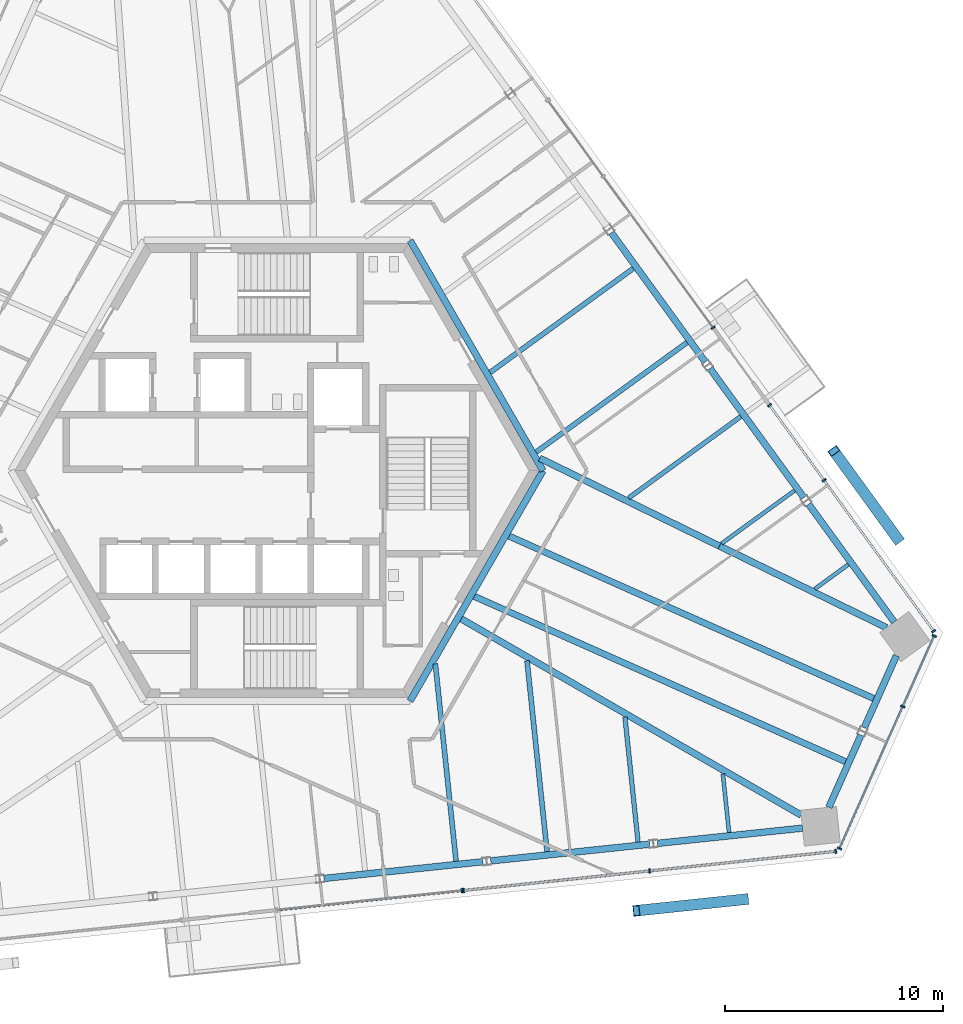
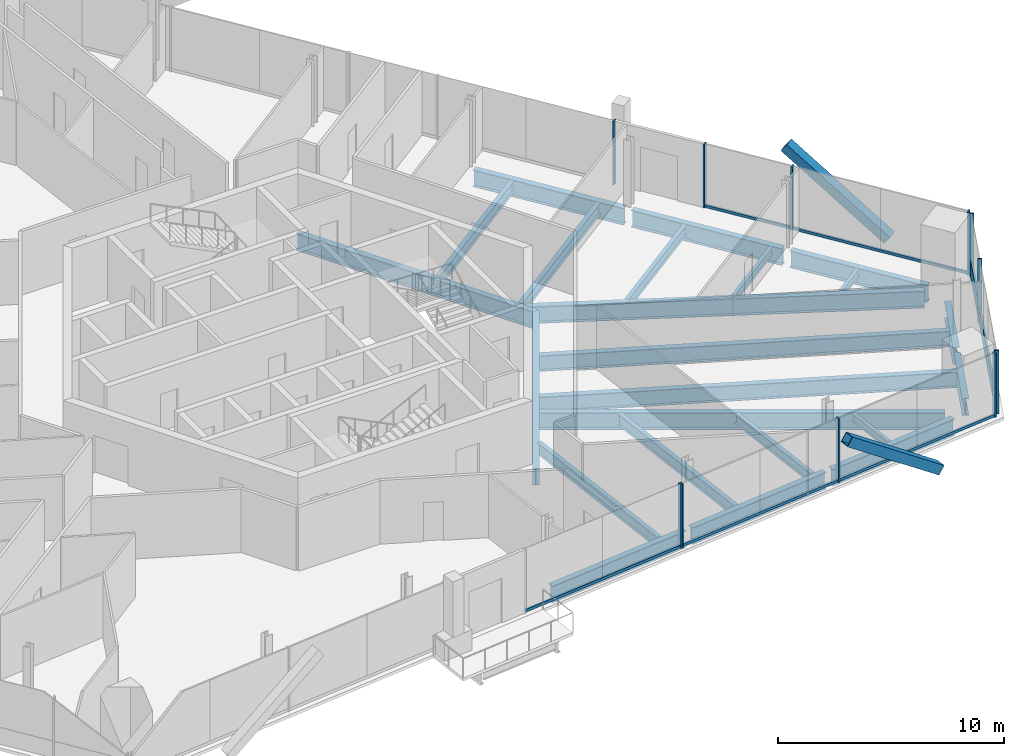
# One storey, part 6 of 19: 24 beams, 20 members, 5 elements without a shape of their own.
"""IFC4 building model written with IfcOpenShell, lengths in metres."""

from ifc_helpers import new_model, si_unit, direction, frame, origin, origin_2d, place, context, subcontext, project, spatial, rectangle, hollow_rectangle, i_section, extrude, source, transform, mapped, material, material_profile, profile_set, type_object, element, aggregate, save


model = new_model("IFC4")

# Units and contexts
model_context = context("Model", 3, precision=1e-05, world=origin(), true_north=direction((0.0, 1.0)))
body_context = subcontext(model_context, "Body", "Model", "MODEL_VIEW")
ifc_project = project(units=[si_unit("LENGTHUNIT", "METRE"), si_unit("AREAUNIT", "SQUARE_METRE"), si_unit("VOLUMEUNIT", "CUBIC_METRE"), si_unit("PLANEANGLEUNIT", "RADIAN"), si_unit("MASSUNIT", "GRAM", prefix="KILO")], contexts=[model_context])

# Site, building, storey
site_placement = place(None, origin())
site = spatial("IfcSite", under=ifc_project, at=site_placement, CompositionType="ELEMENT")
building_placement = place(site_placement, origin())
building = spatial("IfcBuilding", under=site, at=building_placement, Name="Triune Harvest Tower", CompositionType="ELEMENT")
storey_placement = place(building_placement, frame((0.0, 0.0, 223.300048828125)))
storey = spatial("IfcBuildingStorey", under=building, at=storey_placement, Name="L58", CompositionType="ELEMENT", Elevation=223.300048828125)

# Curtain wall, member
ifc_material_1 = material(Name="Aluminium bronze anodised", Category="aluminium")
curtain_wall_type_1 = type_object("IfcCurtainWallType", Name="CW-6 Balcony window wall", PredefinedType="NOTDEFINED", material=ifc_material_1)
curtain_wall_1_placement = place(storey_placement, origin())
curtain_wall_1 = element("IfcCurtainWall", 1, at=curtain_wall_1_placement, inside=storey, type_object=curtain_wall_type_1, Name="CW-6 B6-F5 L58 run 2")
ifc_material_2 = material(Name="Aluminium bronze anodised", Category="aluminium")
ifc_material_profile_1 = material_profile(ifc_material_2, rectangle(XDim=0.090087890625, YDim=0.14990234375, at=origin_2d()), Name="TR-6 transom 90 x 150")
ifc_profile_set_1 = profile_set([ifc_material_profile_1], Name="Aluminium bronze anodised")
member_type_1 = type_object("IfcMemberType", Name="TR-6 transom 90 x 150", PredefinedType="USERDEFINED", material=ifc_profile_set_1)
member_1_placement = place(storey_placement, frame((0.019287109375, -20.111572265625, 0.074951171875), z_axis=(0.994521742319, 0.10452991942, 0.0), x_axis=(-0.10452991942, 0.994521742319, 0.0)))
member_1 = element("IfcMember", 2, at=member_1_placement, type_object=member_type_1, Name="CW-6 transom B6-F5 2.1", ObjectType="TRANSOM", PredefinedType="USERDEFINED", context=body_context, shape_type="SweptSolid", body=[
    extrude(rectangle(XDim=0.090087890625, YDim=0.14990234375, at=origin_2d()), origin(), (0.0, 0.0, 1.0), 8.45263671875),
])

# Beams
ifc_material_3 = material(Name="Steel ASTM A992 Gr 50", Category="steel")
ifc_material_profile_2 = material_profile(ifc_material_3, i_section(OverallWidth=0.3046875, OverallDepth=0.914306640625, WebThickness=0.0166015625, FlangeThickness=0.02587890625, at=origin_2d()), Name="W36x160")
ifc_profile_set_2 = profile_set([ifc_material_profile_2], Name="Steel ASTM A992 Gr 50")
beam_type_1 = type_object("IfcBeamType", Name="CG-1 Core ring girder W36x160", PredefinedType="BEAM", material=ifc_profile_set_2)
shared_shape_1 = source(origin(), body_context, "Body", "SweptSolid", [
    extrude(i_section(OverallWidth=0.3046875, OverallDepth=0.914306640625, WebThickness=0.0166015625, FlangeThickness=0.02587890625, at=origin_2d()), origin(), (0.0, 0.0, 1.0), 12.176025390625),
])
for number, where, z_axis, x_axis, name in (
    (3, (12.176025390625, 0.0, -0.6171875), (-0.5000099932, 0.866019634131, 0.0), (-0.866019634131, -0.5000099932, 0.0), "beam/L58/CG1"),
    (4, (6.087890625, -10.544677734375, -0.6171875), (0.5000099932, 0.866019634131, 0.0), (-0.866019634131, 0.5000099932, 0.0), "beam/L58/CG6"),
):
    element("IfcBeam", number, at=place(storey_placement, frame(where, z_axis=z_axis, x_axis=x_axis)), inside=storey, type_object=beam_type_1, Name=name, PredefinedType="BEAM", context=body_context, shape_type="MappedRepresentation", body=[
        mapped(shared_shape_1, transform((0.0, 0.0, 0.0), scale=1.0)),
    ])
ifc_material_4 = material(Name="Steel ASTM A992 Gr 50", Category="steel")
ifc_material_profile_3 = material_profile(ifc_material_4, i_section(OverallWidth=0.3046875, OverallDepth=0.914306640625, WebThickness=0.0166015625, FlangeThickness=0.02587890625, at=origin_2d()), Name="W36x160")
ifc_profile_set_3 = profile_set([ifc_material_profile_3], Name="Steel ASTM A992 Gr 50")
beam_type_2 = type_object("IfcBeamType", Name="HG-3 Hip girder W36x160", PredefinedType="BEAM", material=ifc_profile_set_3)
shared_shape_2 = source(origin(), body_context, "Body", "SweptSolid", [
    extrude(i_section(OverallWidth=0.3046875, OverallDepth=0.914306640625, WebThickness=0.0166015625, FlangeThickness=0.02587890625, at=origin_2d()), origin(), (0.0, 0.0, 1.0), 9.168212890625),
])
beam_1_placement = place(storey_placement, frame((20.2587890625, -3.451171875, -0.6171875), z_axis=(-0.898521846145, 0.438928800605, 0.0), x_axis=(-0.438928800605, -0.898521846145, 0.0)))
element("IfcBeam", 5, at=beam_1_placement, inside=storey, type_object=beam_type_2, Name="beam/L58/HG2", PredefinedType="BEAM", context=body_context, shape_type="MappedRepresentation", body=[
    mapped(shared_shape_2, transform((0.0, 0.0, 0.0), scale=1.0)),
])
ifc_material_5 = material(Name="Steel ASTM A992 Gr 50", Category="steel")
ifc_material_profile_4 = material_profile(ifc_material_5, i_section(OverallWidth=0.3046875, OverallDepth=0.914306640625, WebThickness=0.0166015625, FlangeThickness=0.02587890625, at=origin_2d()), Name="W36x160")
ifc_profile_set_4 = profile_set([ifc_material_profile_4], Name="Steel ASTM A992 Gr 50")
beam_type_3 = type_object("IfcBeamType", Name="SB-1 Spandrel beam W36x160", PredefinedType="SPANDREL", material=ifc_profile_set_4)
shared_shape_3 = source(origin(), body_context, "Body", "SweptSolid", [
    extrude(i_section(OverallWidth=0.3046875, OverallDepth=0.914306640625, WebThickness=0.0166015625, FlangeThickness=0.02587890625, at=origin_2d()), origin(), (0.0, 0.0, 1.0), 6.67041015625),
])
for number, where, z_axis, x_axis, name in (
    (6, (28.256591796875, -6.927734375, -0.6171875), (-0.587797324645, 0.80900822316, 0.0), (-0.80900822316, -0.587797324645, 0.0), "beam/L58/SB1"),
    (7, (17.421630859375, -17.060302734375, -0.6171875), (0.994521485501, 0.104532362822, 0.0), (-0.104532362822, 0.994521485501, 0.0), "beam/L58/SB22"),
):
    element("IfcBeam", number, at=place(storey_placement, frame(where, z_axis=z_axis, x_axis=x_axis)), inside=storey, type_object=beam_type_3, Name=name, PredefinedType="SPANDREL", context=body_context, shape_type="MappedRepresentation", body=[
        mapped(shared_shape_3, transform((0.0, 0.0, 0.0), scale=1.0)),
    ])
shared_shape_4 = source(origin(), body_context, "Body", "SweptSolid", [
    extrude(i_section(OverallWidth=0.3046875, OverallDepth=0.914306640625, WebThickness=0.0166015625, FlangeThickness=0.02587890625, at=origin_2d()), origin(), (0.0, 0.0, 1.0), 7.31103515625),
])
for number, where, z_axis, x_axis, name in (
    (8, (24.119384765625, -1.2333984375, -0.6171875), (-0.587786436325, 0.809016134124, 0.0), (-0.809016134124, -0.587786436325, 0.0), "beam/L58/SB2"),
    (9, (19.60546875, 4.9794921875, -0.6171875), (-0.587786436325, 0.809016134124, 0.0), (-0.809016134124, -0.587786436325, 0.0), "beam/L58/SB3"),
    (10, (9.784423828125, -17.863037109375, -0.6171875), (0.994522639393, 0.104521384101, 0.0), (-0.104521384101, 0.994522639393, 0.0), "beam/L58/SB21"),
):
    element("IfcBeam", number, at=place(storey_placement, frame(where, z_axis=z_axis, x_axis=x_axis)), inside=storey, type_object=beam_type_3, Name=name, PredefinedType="SPANDREL", context=body_context, shape_type="MappedRepresentation", body=[
        mapped(shared_shape_4, transform((0.0, 0.0, 0.0), scale=1.0)),
    ])
shared_shape_5 = source(origin(), body_context, "Body", "SweptSolid", [
    extrude(i_section(OverallWidth=0.3046875, OverallDepth=0.914306640625, WebThickness=0.0166015625, FlangeThickness=0.02587890625, at=origin_2d()), origin(), (0.0, 0.0, 1.0), 3.614990234375),
])
beam_2_placement = place(storey_placement, frame((26.883544921875, -11.767822265625, -0.6171875), z_axis=(0.406758712736, 0.913535631277, 0.0), x_axis=(-0.913535631277, 0.406758712736, 0.0)))
element("IfcBeam", 11, at=beam_2_placement, inside=storey, type_object=beam_type_3, Name="beam/L58/SB24", PredefinedType="SPANDREL", context=body_context, shape_type="MappedRepresentation", body=[
    mapped(shared_shape_5, transform((0.0, 0.0, 0.0), scale=1.0)),
])
shared_shape_6 = source(origin(), body_context, "Body", "SweptSolid", [
    extrude(i_section(OverallWidth=0.3046875, OverallDepth=0.914306640625, WebThickness=0.0166015625, FlangeThickness=0.02587890625, at=origin_2d()), origin(), (0.0, 0.0, 1.0), 7.311279296875),
])
beam_3_placement = place(storey_placement, frame((2.14697265625, -18.665771484375, -0.6171875), z_axis=(0.994523004189, 0.104517913008, 0.0), x_axis=(-0.104517913008, 0.994523004189, 0.0)))
element("IfcBeam", 12, at=beam_3_placement, inside=storey, type_object=beam_type_3, Name="beam/L58/SB20", PredefinedType="SPANDREL", context=body_context, shape_type="MappedRepresentation", body=[
    mapped(shared_shape_6, transform((0.0, 0.0, 0.0), scale=1.0)),
])
shared_shape_7 = source(origin(), body_context, "Body", "SweptSolid", [
    extrude(i_section(OverallWidth=0.3046875, OverallDepth=0.914306640625, WebThickness=0.0166015625, FlangeThickness=0.02587890625, at=origin_2d()), origin(), (0.0, 0.0, 1.0), 3.61474609375),
])
beam_4_placement = place(storey_placement, frame((25.263427734375, -15.406494140625, -0.6171875), z_axis=(0.406783809082, 0.913524456525, 0.0), x_axis=(-0.913524456525, 0.406783809082, 0.0)))
element("IfcBeam", 13, at=beam_4_placement, inside=storey, type_object=beam_type_3, Name="beam/L58/SB23", PredefinedType="SPANDREL", context=body_context, shape_type="MappedRepresentation", body=[
    mapped(shared_shape_7, transform((0.0, 0.0, 0.0), scale=1.0)),
])
shared_shape_8 = source(origin(), body_context, "Body", "SweptSolid", [
    extrude(i_section(OverallWidth=0.3046875, OverallDepth=0.914306640625, WebThickness=0.0166015625, FlangeThickness=0.02587890625, at=origin_2d()), origin(), (0.0, 0.0, 1.0), 8.506591796875),
])
beam_5_placement = place(storey_placement, frame((27.902099609375, -7.18505859375, -0.6171875), z_axis=(-0.898516187924, 0.43894038324, 0.0), x_axis=(-0.43894038324, -0.898516187924, 0.0)))
element("IfcBeam", 14, at=beam_5_placement, inside=storey, type_object=beam_type_2, Name="beam/L58/HG1", PredefinedType="BEAM", context=body_context, shape_type="MappedRepresentation", body=[
    mapped(shared_shape_8, transform((0.0, 0.0, 0.0), scale=1.0)),
])
shared_shape_9 = source(origin(), body_context, "Body", "SweptSolid", [
    extrude(i_section(OverallWidth=0.3046875, OverallDepth=0.914306640625, WebThickness=0.0166015625, FlangeThickness=0.02587890625, at=origin_2d()), origin(), (0.0, 0.0, 1.0), 17.96484375),
])
beam_6_placement = place(storey_placement, frame((23.992919921875, -15.766845703125, -0.6171875), z_axis=(-0.866026717539, 0.499997724503, 0.0), x_axis=(-0.499997724503, -0.866026717539, 0.0)))
element("IfcBeam", 15, at=beam_6_placement, inside=storey, type_object=beam_type_2, Name="beam/L58/HG10", PredefinedType="BEAM", context=body_context, shape_type="MappedRepresentation", body=[
    mapped(shared_shape_9, transform((0.0, 0.0, 0.0), scale=1.0)),
])
ifc_material_6 = material(Name="Steel ASTM A992 Gr 50", Category="steel")
ifc_material_profile_5 = material_profile(ifc_material_6, i_section(OverallWidth=0.180908203125, OverallDepth=0.41650390625, WebThickness=0.010986328125, FlangeThickness=0.01806640625, at=origin_2d()), Name="W16x57")
ifc_profile_set_5 = profile_set([ifc_material_profile_5], Name="Steel ASTM A992 Gr 50")
beam_type_4 = type_object("IfcBeamType", Name="JT-1 Floor joist W16x57", PredefinedType="JOIST", material=ifc_profile_set_5)
shared_shape_10 = source(origin(), body_context, "Body", "SweptSolid", [
    extrude(i_section(OverallWidth=0.180908203125, OverallDepth=0.41650390625, WebThickness=0.010986328125, FlangeThickness=0.01806640625, at=origin_2d()), origin(), (0.0, 0.0, 1.0), 1.89892578125),
])
beam_7_placement = place(storey_placement, frame((26.156005859375, -4.2958984375, -0.368408203125), z_axis=(-0.808980650343, -0.587835272309, 0.0), x_axis=(0.587835272309, -0.808980650343, 0.0)))
element("IfcBeam", 16, at=beam_7_placement, inside=storey, type_object=beam_type_4, Name="beam/L58/JT1", PredefinedType="JOIST", context=body_context, shape_type="MappedRepresentation", body=[
    mapped(shared_shape_10, transform((0.0, 0.0, 0.0), scale=1.0)),
])
shared_shape_11 = source(origin(), body_context, "Body", "SweptSolid", [
    extrude(i_section(OverallWidth=0.180908203125, OverallDepth=0.41650390625, WebThickness=0.010986328125, FlangeThickness=0.01806640625, at=origin_2d()), origin(), (0.0, 0.0, 1.0), 4.122802734375),
])
beam_8_placement = place(storey_placement, frame((23.69384765625, -0.906982421875, -0.368408203125), z_axis=(-0.809017670691, -0.587784321423, 0.0), x_axis=(0.587784321423, -0.809017670691, 0.0)))
element("IfcBeam", 17, at=beam_8_placement, inside=storey, type_object=beam_type_4, Name="beam/L58/JT2", PredefinedType="JOIST", context=body_context, shape_type="MappedRepresentation", body=[
    mapped(shared_shape_11, transform((0.0, 0.0, 0.0), scale=1.0)),
])
ifc_material_7 = material(Name="Steel ASTM A992 Gr 50", Category="steel")
ifc_material_profile_6 = material_profile(ifc_material_7, i_section(OverallWidth=0.2099609375, OverallDepth=0.535888671875, WebThickness=0.010986328125, FlangeThickness=0.017333984375, at=origin_2d()), Name="W21x68")
ifc_profile_set_6 = profile_set([ifc_material_profile_6], Name="Steel ASTM A992 Gr 50")
beam_type_5 = type_object("IfcBeamType", Name="JT-2 Floor joist W21x68", PredefinedType="JOIST", material=ifc_profile_set_6)
shared_shape_12 = source(origin(), body_context, "Body", "SweptSolid", [
    extrude(i_section(OverallWidth=0.2099609375, OverallDepth=0.535888671875, WebThickness=0.010986328125, FlangeThickness=0.017333984375, at=origin_2d()), origin(), (0.0, 0.0, 1.0), 6.346435546875),
])
beam_9_placement = place(storey_placement, frame((21.231689453125, 2.481689453125, -0.427978515625), z_axis=(-0.809002165091, -0.58780566251, 0.0), x_axis=(0.58780566251, -0.809002165091, 0.0)))
element("IfcBeam", 18, at=beam_9_placement, inside=storey, type_object=beam_type_5, Name="beam/L58/JT3", PredefinedType="JOIST", context=body_context, shape_type="MappedRepresentation", body=[
    mapped(shared_shape_12, transform((0.0, 0.0, 0.0), scale=1.0)),
])
ifc_material_8 = material(Name="Steel ASTM A992 Gr 50", Category="steel")
ifc_material_profile_7 = material_profile(ifc_material_8, i_section(OverallWidth=0.22900390625, OverallDepth=0.612060546875, WebThickness=0.011962890625, FlangeThickness=0.01953125, at=origin_2d()), Name="W24x84")
ifc_profile_set_7 = profile_set([ifc_material_profile_7], Name="Steel ASTM A992 Gr 50")
beam_type_6 = type_object("IfcBeamType", Name="JT-3 Floor joist W24x84", PredefinedType="JOIST", material=ifc_profile_set_7)
shared_shape_13 = source(origin(), body_context, "Body", "SweptSolid", [
    extrude(i_section(OverallWidth=0.22900390625, OverallDepth=0.612060546875, WebThickness=0.011962890625, FlangeThickness=0.01953125, at=origin_2d()), origin(), (0.0, 0.0, 1.0), 8.540283203125),
])
beam_10_placement = place(storey_placement, frame((18.769775390625, 5.87060546875, -0.466064453125), z_axis=(-0.809019081634, -0.587782379416, 0.0), x_axis=(0.587782379416, -0.809019081634, 0.0)))
element("IfcBeam", 19, at=beam_10_placement, inside=storey, type_object=beam_type_6, Name="beam/L58/JT4", PredefinedType="JOIST", context=body_context, shape_type="MappedRepresentation", body=[
    mapped(shared_shape_13, transform((0.0, 0.0, 0.0), scale=1.0)),
])
shared_shape_14 = source(origin(), body_context, "Body", "SweptSolid", [
    extrude(i_section(OverallWidth=0.22900390625, OverallDepth=0.612060546875, WebThickness=0.011962890625, FlangeThickness=0.01953125, at=origin_2d()), origin(), (0.0, 0.0, 1.0), 8.099609375),
])
beam_11_placement = place(storey_placement, frame((16.3076171875, 9.25927734375, -0.466064453125), z_axis=(-0.809022748574, -0.587777332235, 0.0), x_axis=(0.587777332235, -0.809022748574, 0.0)))
element("IfcBeam", 20, at=beam_11_placement, inside=storey, type_object=beam_type_6, Name="beam/L58/JT5", PredefinedType="JOIST", context=body_context, shape_type="MappedRepresentation", body=[
    mapped(shared_shape_14, transform((0.0, 0.0, 0.0), scale=1.0)),
])
shared_shape_15 = source(origin(), body_context, "Body", "SweptSolid", [
    extrude(i_section(OverallWidth=0.22900390625, OverallDepth=0.612060546875, WebThickness=0.011962890625, FlangeThickness=0.01953125, at=origin_2d()), origin(), (0.0, 0.0, 1.0), 9.084716796875),
])
beam_12_placement = place(storey_placement, frame((8.19677734375, -17.876708984375, -0.466064453125), z_axis=(-0.104539296445, 0.994520756696, 0.0), x_axis=(-0.994520756696, -0.104539296445, 0.0)))
element("IfcBeam", 21, at=beam_12_placement, inside=storey, type_object=beam_type_6, Name="beam/L58/JT31", PredefinedType="JOIST", context=body_context, shape_type="MappedRepresentation", body=[
    mapped(shared_shape_15, transform((0.0, 0.0, 0.0), scale=1.0)),
])
shared_shape_16 = source(origin(), body_context, "Body", "SweptSolid", [
    extrude(i_section(OverallWidth=0.2099609375, OverallDepth=0.535888671875, WebThickness=0.010986328125, FlangeThickness=0.017333984375, at=origin_2d()), origin(), (0.0, 0.0, 1.0), 5.745849609375),
])
beam_13_placement = place(storey_placement, frame((16.5283203125, -17.0009765625, -0.427978515625), z_axis=(-0.104525532782, 0.99452220337, 0.0), x_axis=(-0.99452220337, -0.104525532782, 0.0)))
element("IfcBeam", 22, at=beam_13_placement, inside=storey, type_object=beam_type_5, Name="beam/L58/JT33", PredefinedType="JOIST", context=body_context, shape_type="MappedRepresentation", body=[
    mapped(shared_shape_16, transform((0.0, 0.0, 0.0), scale=1.0)),
])
shared_shape_17 = source(origin(), body_context, "Body", "SweptSolid", [
    extrude(i_section(OverallWidth=0.180908203125, OverallDepth=0.41650390625, WebThickness=0.010986328125, FlangeThickness=0.01806640625, at=origin_2d()), origin(), (0.0, 0.0, 1.0), 2.70263671875),
])
beam_14_placement = place(storey_placement, frame((20.694091796875, -16.56298828125, -0.368408203125), z_axis=(-0.104520196043, 0.994522764254, 0.0), x_axis=(-0.994522764254, -0.104520196043, 0.0)))
element("IfcBeam", 23, at=beam_14_placement, inside=storey, type_object=beam_type_4, Name="beam/L58/JT34", PredefinedType="JOIST", context=body_context, shape_type="MappedRepresentation", body=[
    mapped(shared_shape_17, transform((0.0, 0.0, 0.0), scale=1.0)),
])
ifc_material_9 = material(Name="Steel ASTM A992 Gr 50", Category="steel")
ifc_material_profile_8 = material_profile(ifc_material_9, i_section(OverallWidth=0.2919921875, OverallDepth=0.8408203125, WebThickness=0.0146484375, FlangeThickness=0.021728515625, at=origin_2d()), Name="W33x130")
ifc_profile_set_8 = profile_set([ifc_material_profile_8], Name="Steel ASTM A992 Gr 50")
beam_type_7 = type_object("IfcBeamType", Name="JT-6 Floor joist W33x130", PredefinedType="JOIST", material=ifc_profile_set_8)
shared_shape_18 = source(origin(), body_context, "Body", "SweptSolid", [
    extrude(i_section(OverallWidth=0.2919921875, OverallDepth=0.8408203125, WebThickness=0.0146484375, FlangeThickness=0.021728515625, at=origin_2d()), origin(), (0.0, 0.0, 1.0), 18.60400390625),
])
beam_15_placement = place(storey_placement, frame((26.025390625, -13.32080078125, -0.58056640625), z_axis=(-0.913546187597, 0.406735003568, 0.0), x_axis=(-0.406735003568, -0.913546187597, 0.0)))
element("IfcBeam", 24, at=beam_15_placement, inside=storey, type_object=beam_type_7, Name="beam/L58/JT35", PredefinedType="JOIST", context=body_context, shape_type="MappedRepresentation", body=[
    mapped(shared_shape_18, transform((0.0, 0.0, 0.0), scale=1.0)),
])
shared_shape_19 = source(origin(), body_context, "Body", "SweptSolid", [
    extrude(i_section(OverallWidth=0.22900390625, OverallDepth=0.612060546875, WebThickness=0.011962890625, FlangeThickness=0.01953125, at=origin_2d()), origin(), (0.0, 0.0, 1.0), 8.7890625),
])
beam_16_placement = place(storey_placement, frame((12.362548828125, -17.438720703125, -0.466064453125), z_axis=(-0.104527173764, 0.9945220309, 0.0), x_axis=(-0.9945220309, -0.104527173764, 0.0)))
element("IfcBeam", 25, at=beam_16_placement, inside=storey, type_object=beam_type_6, Name="beam/L58/JT32", PredefinedType="JOIST", context=body_context, shape_type="MappedRepresentation", body=[
    mapped(shared_shape_19, transform((0.0, 0.0, 0.0), scale=1.0)),
])
shared_shape_20 = source(origin(), body_context, "Body", "SweptSolid", [
    extrude(i_section(OverallWidth=0.2919921875, OverallDepth=0.8408203125, WebThickness=0.0146484375, FlangeThickness=0.021728515625, at=origin_2d()), origin(), (0.0, 0.0, 1.0), 18.270751953125),
])
beam_17_placement = place(storey_placement, frame((27.313720703125, -10.427001953125, -0.58056640625), z_axis=(-0.913545207047, 0.406737205922, 0.0), x_axis=(-0.406737205922, -0.913545207047, 0.0)))
element("IfcBeam", 26, at=beam_17_placement, inside=storey, type_object=beam_type_7, Name="beam/L58/JT36", PredefinedType="JOIST", context=body_context, shape_type="MappedRepresentation", body=[
    mapped(shared_shape_20, transform((0.0, 0.0, 0.0), scale=1.0)),
])

# Members
ifc_material_10 = material(Name="Steel ASTM A572 Gr 50", Category="steel")
ifc_material_profile_9 = material_profile(ifc_material_10, hollow_rectangle(XDim=0.5, YDim=0.5, WallThickness=0.030029296875, at=origin_2d()), Name="Box 500x500x30")
ifc_profile_set_9 = profile_set([ifc_material_profile_9], Name="Steel ASTM A572 Gr 50")
member_type_2 = type_object("IfcMemberType", Name="BR-3 Brace Box 500x500x30", PredefinedType="BRACE", material=ifc_profile_set_9)
shared_shape_21 = source(origin(), body_context, "Body", "SweptSolid", [
    extrude(hollow_rectangle(XDim=0.5, YDim=0.5, WallThickness=0.030029296875, at=origin_2d()), origin(), (0.0, 0.0, 1.0), 6.170654296875),
])
member_2_placement = place(storey_placement, frame((28.4375, -3.15234375, 0.0), z_axis=(-0.477387446173, 0.657090229242, 0.583381227732), x_axis=(-0.809026684069, -0.587771915341, 0.0)))
element("IfcMember", 27, at=member_2_placement, inside=storey, type_object=member_type_2, Name="brace/B6-F1/d1/2", PredefinedType="BRACE", context=body_context, shape_type="MappedRepresentation", body=[
    mapped(shared_shape_21, transform((0.0, 0.0, 0.0), scale=1.0)),
])
shared_shape_22 = source(origin(), body_context, "Body", "SweptSolid", [
    extrude(hollow_rectangle(XDim=0.5, YDim=0.5, WallThickness=0.030029296875, at=origin_2d()), origin(), (0.0, 0.0, 1.0), 6.1708984375),
])
member_3_placement = place(storey_placement, frame((21.433837890625, -19.620361328125, 0.0), z_axis=(-0.807763534376, -0.08490280378, 0.583360597266), x_axis=(0.104532646515, -0.994521455682, 0.0)))
element("IfcMember", 28, at=member_3_placement, inside=storey, type_object=member_type_2, Name="brace/B6-F5/d2/2", PredefinedType="BRACE", context=body_context, shape_type="MappedRepresentation", body=[
    mapped(shared_shape_22, transform((0.0, 0.0, 0.0), scale=1.0)),
])

# Curtain wall, members
ifc_material_11 = material(Name="Aluminium bronze anodised", Category="aluminium")
curtain_wall_type_2 = type_object("IfcCurtainWallType", Name="CW-1 Tower stick curtain wall", PredefinedType="NOTDEFINED", material=ifc_material_11)
curtain_wall_2_placement = place(storey_placement, origin())
curtain_wall_2 = element("IfcCurtainWall", 29, at=curtain_wall_2_placement, inside=storey, type_object=curtain_wall_type_2, Name="CW-1 B6-F6 L58 run 1")
ifc_material_12 = material(Name="Aluminium bronze anodised", Category="aluminium")
ifc_material_profile_10 = material_profile(ifc_material_12, rectangle(XDim=0.199951171875, YDim=0.074951171875, at=origin_2d()), Name="MU-1 mullion 75 x 200")
ifc_profile_set_10 = profile_set([ifc_material_profile_10], Name="Aluminium bronze anodised")
member_type_3 = type_object("IfcMemberType", Name="MU-1 mullion 75 x 200", PredefinedType="MULLION", material=ifc_profile_set_10)
shared_shape_23 = source(origin(), body_context, "Body", "SweptSolid", [
    extrude(rectangle(XDim=0.199951171875, YDim=0.074951171875, at=origin_2d()), origin(), (0.0, 0.0, 1.0), 3.43994140625),
])
member_4_placement = place(storey_placement, frame((25.7529296875, -17.2958984375, 0.0), z_axis=(0.0, 0.0, 1.0), x_axis=(-0.913542531121, 0.406743216086, 0.0)))
member_4 = element("IfcMember", 30, at=member_4_placement, type_object=member_type_3, Name="CW-1 mullion B6-F6 1.1", PredefinedType="MULLION", context=body_context, shape_type="MappedRepresentation", body=[
    mapped(shared_shape_23, transform((0.0, 0.0, 0.0), scale=1.0)),
])
member_5_placement = place(storey_placement, frame((28.646240234375, -10.797119140625, 0.0), z_axis=(0.0, 0.0, 1.0), x_axis=(-0.913542531121, 0.406743216086, 0.0)))
member_5 = element("IfcMember", 31, at=member_5_placement, type_object=member_type_3, Name="CW-1 mullion B6-F6 1.3", PredefinedType="MULLION", context=body_context, shape_type="MappedRepresentation", body=[
    mapped(shared_shape_23, transform((0.0, 0.0, 0.0), scale=1.0)),
])
member_6_placement = place(storey_placement, frame((30.08544921875, -7.56494140625, 0.0), z_axis=(0.0, 0.0, 1.0), x_axis=(-0.913542531121, 0.406743216086, 0.0)))
member_6 = element("IfcMember", 32, at=member_6_placement, type_object=member_type_3, Name="CW-1 mullion B6-F6 1.4", PredefinedType="MULLION", context=body_context, shape_type="MappedRepresentation", body=[
    mapped(shared_shape_23, transform((0.0, 0.0, 0.0), scale=1.0)),
])

ifc_material_13 = material(Name="Aluminium bronze anodised", Category="aluminium")
curtain_wall_type_3 = type_object("IfcCurtainWallType", Name="CW-10 Balcony window wall with insulated spandrel infill", PredefinedType="NOTDEFINED", material=ifc_material_13)
curtain_wall_3_placement = place(storey_placement, origin())
curtain_wall_3 = element("IfcCurtainWall", 33, at=curtain_wall_3_placement, inside=storey, type_object=curtain_wall_type_3, Name="CW-10 B6-F1 L58 run 1")
ifc_material_14 = material(Name="Aluminium bronze anodised", Category="aluminium")
ifc_material_profile_11 = material_profile(ifc_material_14, rectangle(XDim=0.199951171875, YDim=0.074951171875, at=origin_2d()), Name="MU-6 mullion 75 x 200")
ifc_profile_set_11 = profile_set([ifc_material_profile_11], Name="Aluminium bronze anodised")
member_type_4 = type_object("IfcMemberType", Name="MU-6 mullion 75 x 200", PredefinedType="MULLION", material=ifc_profile_set_11)
shared_shape_24 = source(origin(), body_context, "Body", "SweptSolid", [
    extrude(rectangle(XDim=0.199951171875, YDim=0.074951171875, at=origin_2d()), origin(), (0.0, 0.0, 1.0), 3.43994140625),
])
member_7_placement = place(storey_placement, frame((30.062255859375, -7.34521484375, 0.0), z_axis=(0.0, 0.0, 1.0), x_axis=(-0.809016689391, -0.587785672066, 0.0)))
member_7 = element("IfcMember", 34, at=member_7_placement, type_object=member_type_4, Name="CW-10 mullion B6-F1 1.1", PredefinedType="MULLION", context=body_context, shape_type="MappedRepresentation", body=[
    mapped(shared_shape_24, transform((0.0, 0.0, 0.0), scale=1.0)),
])
member_8_placement = place(storey_placement, frame((25.04541015625, -0.440185546875, 0.0), z_axis=(0.0, 0.0, 1.0), x_axis=(-0.809016689391, -0.587785672066, 0.0)))
member_8 = element("IfcMember", 35, at=member_8_placement, type_object=member_type_4, Name="CW-10 mullion B6-F1 1.3", PredefinedType="MULLION", context=body_context, shape_type="MappedRepresentation", body=[
    mapped(shared_shape_24, transform((0.0, 0.0, 0.0), scale=1.0)),
])
member_9_placement = place(storey_placement, frame((22.548095703125, 2.997314453125, 0.0), z_axis=(0.0, 0.0, 1.0), x_axis=(-0.809016689391, -0.587785672066, 0.0)))
member_9 = element("IfcMember", 36, at=member_9_placement, type_object=member_type_4, Name="CW-10 mullion B6-F1 1.4", PredefinedType="MULLION", context=body_context, shape_type="MappedRepresentation", body=[
    mapped(shared_shape_24, transform((0.0, 0.0, 0.0), scale=1.0)),
])

# Curtain wall, member
curtain_wall_4_placement = place(storey_placement, origin())
curtain_wall_4 = element("IfcCurtainWall", 37, at=curtain_wall_4_placement, inside=storey, type_object=curtain_wall_type_1, Name="CW-6 B6-F1 L58 run 2")
member_10_placement = place(storey_placement, frame((19.966796875, 6.550048828125, 0.0), z_axis=(0.0, 0.0, 1.0), x_axis=(-0.809016766363, -0.587785566124, 0.0)))
member_10 = element("IfcMember", 38, at=member_10_placement, type_object=member_type_4, Name="CW-6 mullion B6-F1 2.1", PredefinedType="MULLION", context=body_context, shape_type="MappedRepresentation", body=[
    mapped(shared_shape_24, transform((0.0, 0.0, 0.0), scale=1.0)),
])
aggregate(curtain_wall_4, [member_10])

# Member
member_11_placement = place(storey_placement, frame((8.462890625, -19.22412109375, 0.0), z_axis=(0.0, 0.0, 1.0), x_axis=(-0.104530043945, 0.994521729231, 0.0)))
member_11 = element("IfcMember", 39, at=member_11_placement, type_object=member_type_4, Name="CW-6 mullion B6-F5 2.3", PredefinedType="MULLION", context=body_context, shape_type="MappedRepresentation", body=[
    mapped(shared_shape_24, transform((0.0, 0.0, 0.0), scale=1.0)),
])

aggregate(curtain_wall_1, [member_11, member_1])

# Curtain wall, members
curtain_wall_5_placement = place(storey_placement, origin())
curtain_wall_5 = element("IfcCurtainWall", 40, at=curtain_wall_5_placement, inside=storey, type_object=curtain_wall_type_3, Name="CW-10 B6-F5 L58 run 1002")
member_12_placement = place(storey_placement, frame((8.53759765625, -19.21630859375, 0.0), z_axis=(0.0, 0.0, 1.0), x_axis=(-0.104529782104, 0.994521756752, 0.0)))
member_12 = element("IfcMember", 41, at=member_12_placement, type_object=member_type_4, Name="CW-10 mullion B6-F5 1002.1", PredefinedType="MULLION", context=body_context, shape_type="MappedRepresentation", body=[
    mapped(shared_shape_24, transform((0.0, 0.0, 0.0), scale=1.0)),
])
member_13_placement = place(storey_placement, frame((17.055908203125, -18.321044921875, 0.0), z_axis=(0.0, 0.0, 1.0), x_axis=(-0.104529782104, 0.994521756752, 0.0)))
member_13 = element("IfcMember", 42, at=member_13_placement, type_object=member_type_4, Name="CW-10 mullion B6-F5 1002.3", PredefinedType="MULLION", context=body_context, shape_type="MappedRepresentation", body=[
    mapped(shared_shape_24, transform((0.0, 0.0, 0.0), scale=1.0)),
])
member_14_placement = place(storey_placement, frame((25.57421875, -17.425537109375, 0.0), z_axis=(0.0, 0.0, 1.0), x_axis=(-0.104529782104, 0.994521756752, 0.0)))
member_14 = element("IfcMember", 43, at=member_14_placement, type_object=member_type_4, Name="CW-10 mullion B6-F5 1002.5", PredefinedType="MULLION", context=body_context, shape_type="MappedRepresentation", body=[
    mapped(shared_shape_24, transform((0.0, 0.0, 0.0), scale=1.0)),
])

# Member
ifc_material_15 = material(Name="Aluminium bronze anodised", Category="aluminium")
ifc_material_profile_12 = material_profile(ifc_material_15, rectangle(XDim=0.090087890625, YDim=0.89990234375, at=origin_2d()), Name="TR-1 transom 90 x 900")
ifc_profile_set_12 = profile_set([ifc_material_profile_12], Name="Aluminium bronze anodised")
member_type_5 = type_object("IfcMemberType", Name="TR-1 transom 90 x 900", PredefinedType="USERDEFINED", material=ifc_profile_set_12)
shared_shape_25 = source(origin(), body_context, "Body", "SweptSolid", [
    extrude(rectangle(XDim=0.090087890625, YDim=0.89990234375, at=origin_2d()), origin(), (0.0, 0.0, 1.0), 7.038818359375),
])
member_15_placement = place(storey_placement, frame((25.76806640625, -17.261474609375, 0.449951171875), z_axis=(0.406753052694, 0.913538151433, 0.0), x_axis=(-0.913538151433, 0.406753052694, 0.0)))
member_15 = element("IfcMember", 44, at=member_15_placement, type_object=member_type_5, Name="CW-1 transom B6-F6 1.1", ObjectType="TRANSOM", PredefinedType="USERDEFINED", context=body_context, shape_type="MappedRepresentation", body=[
    mapped(shared_shape_25, transform((0.0, 0.0, 0.0), scale=1.0)),
])

shared_shape_26 = source(origin(), body_context, "Body", "SweptSolid", [
    extrude(rectangle(XDim=0.090087890625, YDim=0.89990234375, at=origin_2d()), origin(), (0.0, 0.0, 1.0), 3.463134765625),
])
member_16_placement = place(storey_placement, frame((28.66162109375, -10.762939453125, 0.449951171875), z_axis=(0.406694368517, 0.913564278317, 0.0), x_axis=(-0.913564278317, 0.406694368517, 0.0)))
member_16 = element("IfcMember", 45, at=member_16_placement, type_object=member_type_5, Name="CW-1 transom B6-F6 1.2", ObjectType="TRANSOM", PredefinedType="USERDEFINED", context=body_context, shape_type="MappedRepresentation", body=[
    mapped(shared_shape_26, transform((0.0, 0.0, 0.0), scale=1.0)),
])

aggregate(curtain_wall_2, [member_4, member_5, member_6, member_15, member_16])

shared_shape_27 = source(origin(), body_context, "Body", "SweptSolid", [
    extrude(rectangle(XDim=0.090087890625, YDim=0.14990234375, at=origin_2d()), origin(), (0.0, 0.0, 1.0), 8.460205078125),
])
member_17_placement = place(storey_placement, frame((30.040283203125, -7.31494140625, 0.074951171875), z_axis=(-0.587792433733, 0.809011776705, 0.0), x_axis=(-0.809011776705, -0.587792433733, 0.0)))
member_17 = element("IfcMember", 46, at=member_17_placement, type_object=member_type_1, Name="CW-10 transom B6-F1 1.1", ObjectType="TRANSOM", PredefinedType="USERDEFINED", context=body_context, shape_type="MappedRepresentation", body=[
    mapped(shared_shape_27, transform((0.0, 0.0, 0.0), scale=1.0)),
])

shared_shape_28 = source(origin(), body_context, "Body", "SweptSolid", [
    extrude(rectangle(XDim=0.090087890625, YDim=0.14990234375, at=origin_2d()), origin(), (0.0, 0.0, 1.0), 4.173828125),
])
member_18_placement = place(storey_placement, frame((25.0234375, -0.40966796875, 0.074951171875), z_axis=(-0.587792537515, 0.809011701301, 0.0), x_axis=(-0.809011701301, -0.587792537515, 0.0)))
member_18 = element("IfcMember", 47, at=member_18_placement, type_object=member_type_1, Name="CW-10 transom B6-F1 1.2", ObjectType="TRANSOM", PredefinedType="USERDEFINED", context=body_context, shape_type="MappedRepresentation", body=[
    mapped(shared_shape_28, transform((0.0, 0.0, 0.0), scale=1.0)),
])

aggregate(curtain_wall_3, [member_7, member_8, member_9, member_17, member_18])

shared_shape_29 = source(origin(), body_context, "Body", "SweptSolid", [
    extrude(rectangle(XDim=0.090087890625, YDim=0.14990234375, at=origin_2d()), origin(), (0.0, 0.0, 1.0), 8.490234375),
])
member_19_placement = place(storey_placement, frame((8.57470703125, -19.21240234375, 0.074951171875), z_axis=(0.994522299152, 0.104524621449, 0.0), x_axis=(-0.104524621449, 0.994522299152, 0.0)))
member_19 = element("IfcMember", 48, at=member_19_placement, type_object=member_type_1, Name="CW-10 transom B6-F5 1002.1", ObjectType="TRANSOM", PredefinedType="USERDEFINED", context=body_context, shape_type="MappedRepresentation", body=[
    mapped(shared_shape_29, transform((0.0, 0.0, 0.0), scale=1.0)),
])

member_20_placement = place(storey_placement, frame((17.09326171875, -18.317138671875, 0.074951171875), z_axis=(0.994518995263, 0.104556052242, 0.0), x_axis=(-0.104556052242, 0.994518995263, 0.0)))
member_20 = element("IfcMember", 49, at=member_20_placement, type_object=member_type_1, Name="CW-10 transom B6-F5 1002.2", ObjectType="TRANSOM", PredefinedType="USERDEFINED", context=body_context, shape_type="MappedRepresentation", body=[
    mapped(shared_shape_29, transform((0.0, 0.0, 0.0), scale=1.0)),
])

aggregate(curtain_wall_5, [member_12, member_13, member_14, member_19, member_20])

save(model, "model.ifc")
